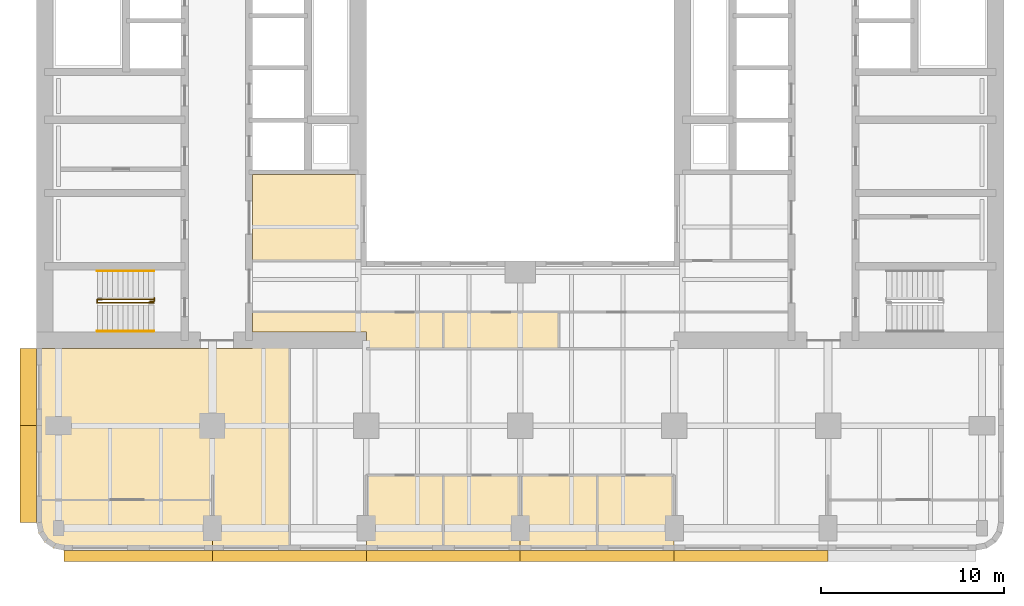
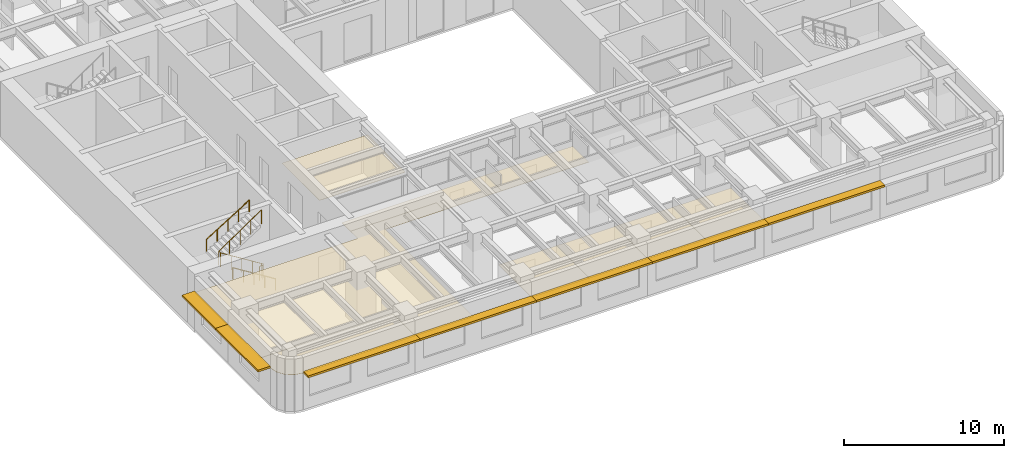
# One storey, part 9 of 11: 9 coverings, 7 shading devices, 4 railings.
"""IFC4 building model written with IfcOpenShell, lengths in metres."""

from ifc_helpers import new_model, si_unit, direction, frame, origin, origin_2d, place, context, subcontext, project, spatial, polyline, rectangle, circle, outline, extrude, material, layer, layer_set, type_object, element, save


model = new_model("IFC4")

# Units and contexts
model_context = context("Model", 3, precision=1e-05, world=origin(), true_north=direction((0.0, 1.0)))
body_context = subcontext(model_context, "Body", "Model", "MODEL_VIEW")
ifc_project = project(units=[si_unit("LENGTHUNIT", "METRE"), si_unit("AREAUNIT", "SQUARE_METRE"), si_unit("VOLUMEUNIT", "CUBIC_METRE"), si_unit("PLANEANGLEUNIT", "RADIAN"), si_unit("MASSUNIT", "GRAM", prefix="KILO")], contexts=[model_context])

# Site, building, storey
site_placement = place(None, origin())
site = spatial("IfcSite", under=ifc_project, at=site_placement, CompositionType="ELEMENT")
building_placement = place(site_placement, origin())
building = spatial("IfcBuilding", under=site, at=building_placement, Name="Claustro Exchange Tower", CompositionType="ELEMENT")
storey_placement = place(building_placement, frame((0.0, 0.0, 163.800048828125)))
storey = spatial("IfcBuildingStorey", under=building, at=storey_placement, Name="L37", CompositionType="ELEMENT", Elevation=163.800048828125)

# Coverings
ifc_material_1 = material(Name="Perforated metal ceiling tiles", Category="steel")
ifc_layer_1 = layer(ifc_material_1, 0.030029296875)
ifc_layer_set_1 = layer_set([ifc_layer_1], Name="Perforated metal ceiling tiles")
covering_type_1 = type_object("IfcCoveringType", Name="CL1 suspended metal ceiling", PredefinedType="CEILING", material=ifc_layer_set_1)
covering_1_placement = place(storey_placement, frame((0.0, 0.0, 2.800048828125)))
element("IfcCovering", 1, at=covering_1_placement, inside=storey, type_object=covering_type_1, Name="Ceiling CL1 L37-08", PredefinedType="CEILING", context=body_context, shape_type="SweptSolid", body=[
    extrude(outline(polyline([(10.60009765625, 13.5), (10.60009765625, 12.60009765625), (-1.199951171875, 12.60009765625), (-1.199951171875, 4.35009765625), (8.39990234375, 4.35009765625), (8.39990234375, 1.60009765625), (12.60009765625, 1.60009765625), (12.60009765625, 12.60009765625), (16.800048828125, 12.60009765625), (16.800048828125, 13.5), (10.60009765625, 13.5)])), origin(), (0.0, 0.0, 1.0), 0.02978515625),
])
ifc_material_2 = material(Name="Gypsum board ceiling", Category="gypsum board")
ifc_layer_2 = layer(ifc_material_2, 0.02490234375)
ifc_layer_set_2 = layer_set([ifc_layer_2], Name="Gypsum board ceiling")
covering_type_2 = type_object("IfcCoveringType", Name="CL2 plasterboard ceiling", PredefinedType="CEILING", material=ifc_layer_set_2)
covering_2_placement = place(storey_placement, frame((0.0, 0.0, 2.800048828125)))
element("IfcCovering", 2, at=covering_2_placement, inside=storey, type_object=covering_type_2, Name="Ceiling CL2 L37-01", PredefinedType="CEILING", context=body_context, shape_type="SweptSolid", body=[
    extrude(outline(polyline([(-1.085693359375, 2.52587890625), (-0.7607421875, 2.039306640625), (-0.27392578125, 1.714111328125), (0.300048828125, 1.60009765625), (8.39990234375, 1.60009765625), (8.39990234375, 4.35009765625), (-1.199951171875, 4.35009765625), (-1.199951171875, 3.10009765625), (-1.085693359375, 2.52587890625)])), origin(), (0.0, 0.0, 1.0), 0.02490234375),
])
covering_3_placement = place(storey_placement, frame((0.0, 0.0, 2.800048828125)))
element("IfcCovering", 3, at=covering_3_placement, inside=storey, type_object=covering_type_2, Name="Ceiling CL2 L37-03", PredefinedType="CEILING", context=body_context, shape_type="SweptSolid", body=[
    extrude(outline(polyline([(16.800048828125, 1.60009765625), (21.0, 1.60009765625), (21.0, 5.699951171875), (16.800048828125, 5.699951171875), (16.800048828125, 1.60009765625)])), origin(), (0.0, 0.0, 1.0), 0.02490234375),
])
covering_4_placement = place(storey_placement, frame((0.0, 0.0, 2.800048828125)))
element("IfcCovering", 4, at=covering_4_placement, inside=storey, type_object=covering_type_2, Name="Ceiling CL2 L37-04", PredefinedType="CEILING", context=body_context, shape_type="SweptSolid", body=[
    extrude(outline(polyline([(21.0, 1.60009765625), (25.199951171875, 1.60009765625), (25.199951171875, 5.699951171875), (21.0, 5.699951171875), (21.0, 1.60009765625)])), origin(), (0.0, 0.0, 1.0), 0.02490234375),
])
covering_5_placement = place(storey_placement, frame((0.0, 0.0, 2.800048828125)))
element("IfcCovering", 5, at=covering_5_placement, inside=storey, type_object=covering_type_2, Name="Ceiling CL2 L37-05", PredefinedType="CEILING", context=body_context, shape_type="SweptSolid", body=[
    extrude(outline(polyline([(25.199951171875, 1.60009765625), (29.39990234375, 1.60009765625), (29.39990234375, 5.699951171875), (25.199951171875, 5.699951171875), (25.199951171875, 1.60009765625)])), origin(), (0.0, 0.0, 1.0), 0.02490234375),
])
covering_6_placement = place(storey_placement, frame((0.0, 0.0, 2.800048828125)))
element("IfcCovering", 6, at=covering_6_placement, inside=storey, type_object=covering_type_2, Name="Ceiling CL2 L37-06", PredefinedType="CEILING", context=body_context, shape_type="SweptSolid", body=[
    extrude(outline(polyline([(29.39990234375, 1.60009765625), (33.60009765625, 1.60009765625), (33.60009765625, 5.699951171875), (29.39990234375, 5.699951171875), (29.39990234375, 1.60009765625)])), origin(), (0.0, 0.0, 1.0), 0.02490234375),
])
covering_7_placement = place(storey_placement, frame((0.0, 0.0, 2.800048828125)))
element("IfcCovering", 7, at=covering_7_placement, inside=storey, type_object=covering_type_2, Name="Ceiling CL2 L37-09", PredefinedType="CEILING", context=body_context, shape_type="SweptSolid", body=[
    extrude(outline(polyline([(21.0, 12.60009765625), (27.300048828125, 12.60009765625), (27.300048828125, 14.60009765625), (21.0, 14.60009765625), (21.0, 12.60009765625)])), origin(), (0.0, 0.0, 1.0), 0.02490234375),
])
covering_8_placement = place(storey_placement, frame((0.0, 0.0, 2.800048828125)))
element("IfcCovering", 8, at=covering_8_placement, inside=storey, type_object=covering_type_2, Name="Ceiling CL2 L37-10", PredefinedType="CEILING", context=body_context, shape_type="SweptSolid", body=[
    extrude(outline(polyline([(10.60009765625, 14.60009765625), (10.60009765625, 13.5), (16.800048828125, 13.5), (16.800048828125, 12.60009765625), (21.0, 12.60009765625), (21.0, 14.60009765625), (16.800048828125, 14.60009765625), (16.800048828125, 14.60009765625), (10.60009765625, 14.60009765625)])), origin(), (0.0, 0.0, 1.0), 0.02490234375),
])
covering_9_placement = place(storey_placement, frame((0.0, 0.0, 2.800048828125)))
element("IfcCovering", 9, at=covering_9_placement, inside=storey, type_object=covering_type_2, Name="Ceiling CL2 L37-13", PredefinedType="CEILING", context=body_context, shape_type="SweptSolid", body=[
    extrude(outline(polyline([(16.800048828125, 17.39990234375), (16.800048828125, 22.10009765625), (10.60009765625, 22.10009765625), (10.60009765625, 17.39990234375), (16.800048828125, 17.39990234375)])), origin(), (0.0, 0.0, 1.0), 0.02490234375),
])

# Railings
ifc_material_3 = material(Name="Steel balustrade, painted", Category="steel")
railing_type_1 = type_object("IfcRailingType", Name="GR2 1100 steel stair guard", PredefinedType="GUARDRAIL", material=ifc_material_3)
railing_1_placement = place(storey_placement, frame((5.199951171875, 15.10009765625, 0.175048828125)))
element("IfcRailing", 10, at=railing_1_placement, inside=storey, type_object=railing_type_1, Name="Stair well guard GR2 stair STWA L37", PredefinedType="GUARDRAIL", context=body_context, shape_type="SweptSolid", body=[
    extrude(circle(Radius=0.02392578125, at=origin_2d()), frame((0.0, 0.0, 1.076171875), z_axis=(-0.848009633417, 0.0, 0.529980812513), x_axis=(0.0, -1.0, 0.0)), (0.0, 0.0, 1.0), 3.6318359375),
    extrude(circle(Radius=0.02392578125, at=origin_2d()), frame((-3.079833984375, 0.0, 3.0009765625), z_axis=(0.0, 1.0, 0.0), x_axis=(-1.0, 0.0, 0.0)), (0.0, 0.0, 1.0), 0.199951171875),
    extrude(circle(Radius=0.02392578125, at=origin_2d()), frame((-3.079833984375, 0.199951171875, 3.0009765625), z_axis=(0.826201015165, 0.0, 0.563375436579), x_axis=(0.0, 1.0, 0.0)), (0.0, 0.0, 1.0), 3.727783203125),
    extrude(circle(Radius=0.02099609375, at=origin_2d()), origin(), (0.0, 0.0, 1.0), 1.052001953125),
    extrude(circle(Radius=0.02099609375, at=origin_2d()), frame((-0.77001953125, 0.0, 0.481201171875)), (0.0, 0.0, 1.0), 1.052001953125),
    extrude(circle(Radius=0.02099609375, at=origin_2d()), frame((-1.5400390625, 0.0, 0.96240234375)), (0.0, 0.0, 1.0), 1.052001953125),
    extrude(circle(Radius=0.02099609375, at=origin_2d()), frame((-2.309814453125, 0.0, 1.443603515625)), (0.0, 0.0, 1.0), 1.052001953125),
    extrude(circle(Radius=0.02099609375, at=origin_2d()), frame((-3.079833984375, 0.0, 1.9248046875)), (0.0, 0.0, 1.0), 1.052001953125),
    extrude(circle(Radius=0.02099609375, at=origin_2d()), frame((-3.079833984375, 0.199951171875, 1.9248046875)), (0.0, 0.0, 1.0), 1.052001953125),
    extrude(circle(Radius=0.02099609375, at=origin_2d()), frame((-2.309814453125, 0.199951171875, 2.44970703125)), (0.0, 0.0, 1.0), 1.052001953125),
    extrude(circle(Radius=0.02099609375, at=origin_2d()), frame((-1.5400390625, 0.199951171875, 2.974853515625)), (0.0, 0.0, 1.0), 1.052001953125),
    extrude(circle(Radius=0.02099609375, at=origin_2d()), frame((-0.77001953125, 0.199951171875, 3.5)), (0.0, 0.0, 1.0), 1.052001953125),
    extrude(circle(Radius=0.02099609375, at=origin_2d()), frame((0.0, 0.199951171875, 4.02490234375)), (0.0, 0.0, 1.0), 1.052001953125),
])
railing_2_placement = place(storey_placement, frame((5.0, 15.169921875, 0.0)))
element("IfcRailing", 11, at=railing_2_placement, inside=storey, type_object=railing_type_1, Name="Stair guard GR2 STWA L37", PredefinedType="GUARDRAIL", context=body_context, shape_type="SweptSolid", body=[
    extrude(circle(Radius=0.02392578125, at=origin_2d()), frame((0.0, 0.0, 1.076171875), z_axis=(0.0, 1.0, 0.0), x_axis=(-1.0, 0.0, 0.0)), (0.0, 0.0, 1.0), 0.030029296875),
    extrude(circle(Radius=0.02392578125, at=origin_2d()), frame((0.0, 0.030029296875, 1.076171875), z_axis=(1.0, 0.0, 0.0), x_axis=(0.0, 1.0, 0.0)), (0.0, 0.0, 1.0), 0.22509765625),
    extrude(circle(Radius=0.02392578125, at=origin_2d()), frame((0.22509765625, 0.030029296875, 1.076171875), z_axis=(0.0, 1.0, 0.0), x_axis=(-1.0, 0.0, 0.0)), (0.0, 0.0, 1.0), 0.179931640625),
    extrude(circle(Radius=0.02099609375, at=origin_2d()), origin(), (0.0, 0.0, 1.0), 1.052001953125),
    extrude(circle(Radius=0.02099609375, at=origin_2d()), frame((0.0, 0.030029296875, 0.0)), (0.0, 0.0, 1.0), 1.052001953125),
    extrude(circle(Radius=0.02099609375, at=origin_2d()), frame((0.22509765625, 0.030029296875, 0.0)), (0.0, 0.0, 1.0), 1.052001953125),
    extrude(circle(Radius=0.02099609375, at=origin_2d()), frame((0.22509765625, 0.2099609375, 0.0)), (0.0, 0.0, 1.0), 1.052001953125),
])
ifc_material_4 = material(Name="Stainless steel tube", Category="steel")
railing_type_2 = type_object("IfcRailingType", Name="HR1 900 stair handrail", PredefinedType="HANDRAIL", material=ifc_material_4)
railing_3_placement = place(storey_placement, frame((5.199951171875, 13.56005859375, 0.175048828125)))
element("IfcRailing", 12, at=railing_3_placement, inside=storey, type_object=railing_type_2, Name="Handrail HR1 stair STWA L37", PredefinedType="HANDRAIL", context=body_context, shape_type="SweptSolid", body=[
    extrude(circle(Radius=0.02392578125, at=origin_2d()), frame((0.0, 0.0, 0.8759765625), z_axis=(-0.848009633417, 0.0, 0.529980812513), x_axis=(0.0, -1.0, 0.0)), (0.0, 0.0, 1.0), 3.6318359375),
    extrude(circle(Radius=0.02099609375, at=origin_2d()), origin(), (0.0, 0.0, 1.0), 0.851806640625),
    extrude(circle(Radius=0.02099609375, at=origin_2d()), frame((-0.77001953125, 0.0, 0.481201171875)), (0.0, 0.0, 1.0), 0.851806640625),
    extrude(circle(Radius=0.02099609375, at=origin_2d()), frame((-1.5400390625, 0.0, 0.96240234375)), (0.0, 0.0, 1.0), 0.851806640625),
    extrude(circle(Radius=0.02099609375, at=origin_2d()), frame((-2.309814453125, 0.0, 1.443603515625)), (0.0, 0.0, 1.0), 0.851806640625),
    extrude(circle(Radius=0.02099609375, at=origin_2d()), frame((-3.079833984375, 0.0, 1.9248046875)), (0.0, 0.0, 1.0), 0.851806640625),
])
railing_4_placement = place(storey_placement, frame((2.1201171875, 16.840087890625, 2.27490234375)))
element("IfcRailing", 13, at=railing_4_placement, inside=storey, type_object=railing_type_2, Name="Handrail HR1 stair STWA L37", PredefinedType="HANDRAIL", context=body_context, shape_type="SweptSolid", body=[
    extrude(circle(Radius=0.02392578125, at=origin_2d()), frame((0.0, 0.0, 0.8759765625), z_axis=(0.847979421464, 0.0, 0.530029150871), x_axis=(0.0, 1.0, 0.0)), (0.0, 0.0, 1.0), 3.632080078125),
    extrude(circle(Radius=0.02099609375, at=origin_2d()), origin(), (0.0, 0.0, 1.0), 0.851806640625),
    extrude(circle(Radius=0.02099609375, at=origin_2d()), frame((0.77001953125, 0.0, 0.481201171875)), (0.0, 0.0, 1.0), 0.851806640625),
    extrude(circle(Radius=0.02099609375, at=origin_2d()), frame((1.5400390625, 0.0, 0.96240234375)), (0.0, 0.0, 1.0), 0.851806640625),
    extrude(circle(Radius=0.02099609375, at=origin_2d()), frame((2.309814453125, 0.0, 1.44384765625)), (0.0, 0.0, 1.0), 0.851806640625),
    extrude(circle(Radius=0.02099609375, at=origin_2d()), frame((3.079833984375, 0.0, 1.925048828125)), (0.0, 0.0, 1.0), 0.851806640625),
])

# Shading devices
ifc_material_5 = material(Name="Concrete HA-40 (C40/50), precast, white cement, acid-etched", Category="concrete")
ifc_layer_3 = layer(ifc_material_5, 0.14990234375)
ifc_layer_set_3 = layer_set([ifc_layer_3], Name="Concrete HA-40 (C40/50), precast, white cement, acid-etched")
shading_device_type_1 = type_object("IfcShadingDeviceType", Name="SS1 600 precast concrete SUNSHADE", PredefinedType="SHUTTER", material=ifc_layer_set_3)
for number, where, z_axis, x_axis, name in (
    (14, (37.800048828125, 1.300048828125, 2.800048828125), (0.0, 0.0, 1.0), (-1.0, 0.0, 0.0), "Precast SUNSHADE SS1 L37"),
    (15, (29.39990234375, 1.300048828125, 2.800048828125), (0.0, 0.0, 1.0), (-1.0, 0.0, 0.0), "Precast SUNSHADE SS1 L37"),
    (16, (21.0, 1.300048828125, 2.800048828125), (0.0, 0.0, 1.0), (-1.0, 0.0, 0.0), "Precast SUNSHADE SS1 L37"),
    (17, (12.60009765625, 1.300048828125, 2.800048828125), (0.0, 0.0, 1.0), (-1.0, 0.0, 0.0), "Precast SUNSHADE SS1 L37"),
):
    element("IfcShadingDevice", number, at=place(storey_placement, frame(where, z_axis=z_axis, x_axis=x_axis)), inside=storey, type_object=shading_device_type_1, Name=name, PredefinedType="SHUTTER", context=body_context, shape_type="SweptSolid", body=[
        extrude(rectangle(XDim=8.39990234375, YDim=0.60009765625, at=origin_2d()), origin(), (0.0, 0.0, 1.0), 0.14990234375),
    ])
shading_device_1_placement = place(storey_placement, frame((4.357421875, 1.300048828125, 2.800048828125), z_axis=(0.0, 0.0, 1.0), x_axis=(-1.0, 0.0, 0.0)))
element("IfcShadingDevice", 18, at=shading_device_1_placement, inside=storey, type_object=shading_device_type_1, Name="Precast SUNSHADE SS1 L37", PredefinedType="SHUTTER", context=body_context, shape_type="SweptSolid", body=[
    extrude(rectangle(XDim=8.085205078125, YDim=0.60009765625, at=origin_2d()), origin(), (0.0, 0.0, 1.0), 0.14990234375),
])
ifc_material_6 = material(Name="Concrete HA-40 (C40/50), precast, white cement, acid-etched", Category="concrete")
ifc_layer_4 = layer(ifc_material_6, 0.14990234375)
ifc_layer_set_4 = layer_set([ifc_layer_4], Name="Concrete HA-40 (C40/50), precast, white cement, acid-etched")
shading_device_type_2 = type_object("IfcShadingDeviceType", Name="SS2 900 precast concrete SUNSHADE", PredefinedType="SHUTTER", material=ifc_layer_set_4)
shading_device_2_placement = place(storey_placement, frame((-1.64990234375, 5.75732421875, 2.800048828125), z_axis=(0.0, 0.0, 1.0), x_axis=(0.0, 1.0, 0.0)))
element("IfcShadingDevice", 19, at=shading_device_2_placement, inside=storey, type_object=shading_device_type_2, Name="Precast SUNSHADE SS2 L37", PredefinedType="SHUTTER", context=body_context, shape_type="SweptSolid", body=[
    extrude(rectangle(XDim=5.28515625, YDim=0.89990234375, at=origin_2d()), origin(), (0.0, 0.0, 1.0), 0.14990234375),
])
shading_device_3_placement = place(storey_placement, frame((-1.64990234375, 10.5, 2.800048828125), z_axis=(0.0, 0.0, 1.0), x_axis=(0.0, 1.0, 0.0)))
element("IfcShadingDevice", 20, at=shading_device_3_placement, inside=storey, type_object=shading_device_type_2, Name="Precast SUNSHADE SS2 L37", PredefinedType="SHUTTER", context=body_context, shape_type="SweptSolid", body=[
    extrude(rectangle(XDim=4.199951171875, YDim=0.89990234375, at=origin_2d()), origin(), (0.0, 0.0, 1.0), 0.14990234375),
])

save(model, "model.ifc")
